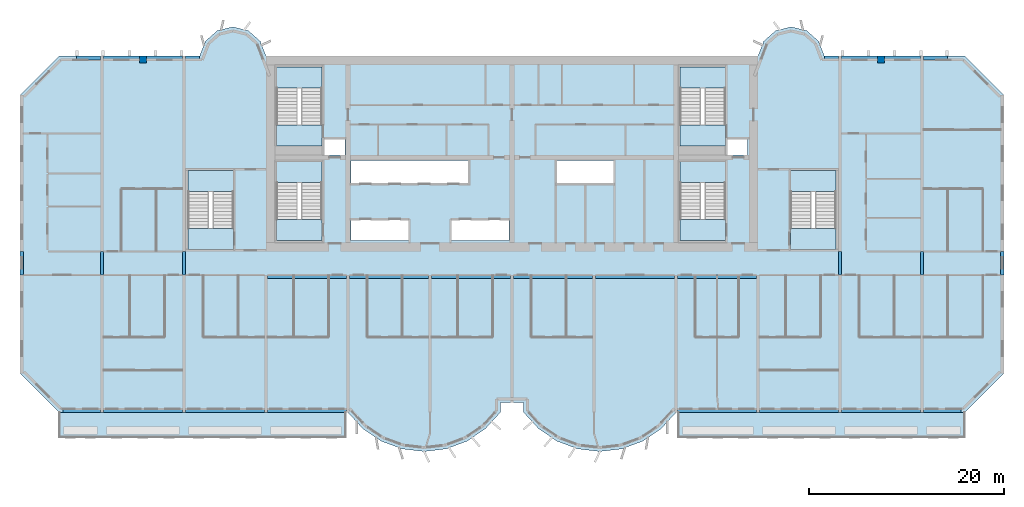
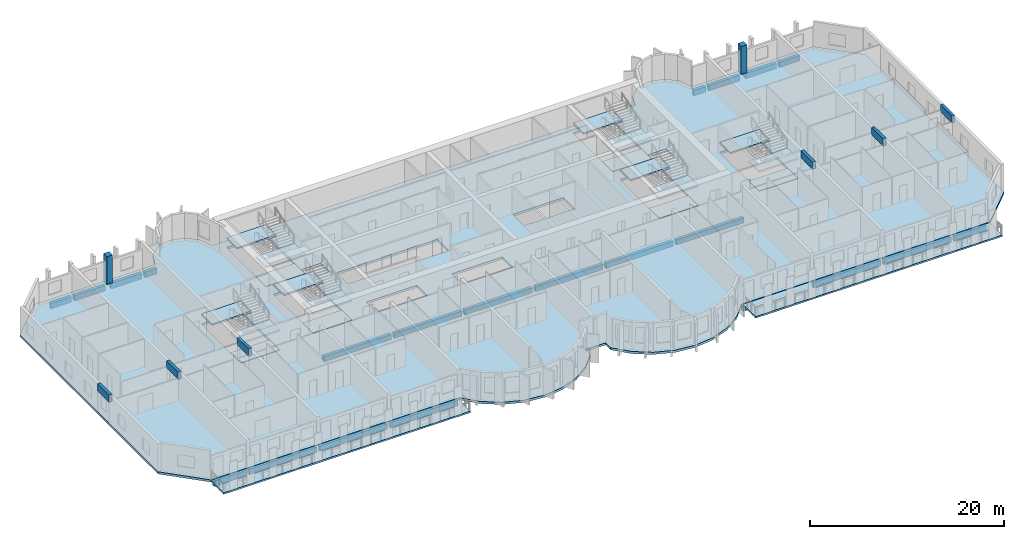
# One storey, part 1 of 14: 28 beams, 21 slabs, 2 columns, 6 elements without a shape of their own.
"""IFC4 building model written with IfcOpenShell, lengths in metres."""

from ifc_helpers import new_model, si_unit, direction, frame, origin, origin_2d, place, context, subcontext, project, spatial, polyline, rectangle, outline, extrude, source, transform, mapped, material, layer, layer_set, material_profile, profile_set, type_object, element, aggregate, save


model = new_model("IFC4")

# Units and contexts
model_context = context("Model", 3, precision=1e-05, world=origin(), true_north=direction((0.0, 1.0)))
body_context = subcontext(model_context, "Body", "Model", "MODEL_VIEW")
ifc_project = project(units=[si_unit("LENGTHUNIT", "METRE"), si_unit("AREAUNIT", "SQUARE_METRE"), si_unit("VOLUMEUNIT", "CUBIC_METRE"), si_unit("PLANEANGLEUNIT", "RADIAN"), si_unit("MASSUNIT", "GRAM", prefix="KILO")], contexts=[model_context])

# Site, building, storey
site_placement = place(None, origin())
site = spatial("IfcSite", under=ifc_project, at=site_placement, CompositionType="ELEMENT")
building_placement = place(site_placement, origin())
building = spatial("IfcBuilding", under=site, at=building_placement, Name="Vanashikhar Sky Hotel", CompositionType="ELEMENT")
storey_placement = place(building_placement, frame((0.0, 0.0, 114.199951171875)))
storey = spatial("IfcBuildingStorey", under=building, at=storey_placement, Name="L27", CompositionType="ELEMENT", Elevation=114.199951171875)

# Columns
ifc_material_1 = material(Name="Concrete M60", Category="concrete")
ifc_material_profile_1 = material_profile(ifc_material_1, rectangle(XDim=0.699951171875, YDim=0.699951171875, at=origin_2d()))
ifc_profile_set_1 = profile_set([ifc_material_profile_1], Name="RC 700x700 column Concrete M60")
column_type = type_object("IfcColumnType", Name="RC 700x700 column Concrete M60", PredefinedType="COLUMN", material=ifc_profile_set_1)
shared_shape_1 = source(origin(), body_context, "Body", "SweptSolid", [
    extrude(rectangle(XDim=0.699951171875, YDim=0.699951171875, at=origin_2d()), origin(), (0.0, 0.0, 1.0), 3.52001953125),
])
for number, where, z_axis, x_axis, name in (
    (1, (12.60009765625, 41.64990234375, 0.0), (0.0, 0.0, 1.0), (1.0, 0.0, 0.0), "CL-L27-CR02"),
    (2, (88.199951171875, 41.64990234375, 0.0), (0.0, 0.0, 1.0), (1.0, 0.0, 0.0), "CL-L27-CR11"),
):
    element("IfcColumn", number, at=place(storey_placement, frame(where, z_axis=z_axis, x_axis=x_axis)), inside=storey, type_object=column_type, Name=name, PredefinedType="COLUMN", context=body_context, shape_type="MappedRepresentation", body=[
        mapped(shared_shape_1, transform((0.0, 0.0, 0.0), scale=1.0)),
    ])

# Beams
ifc_material_2 = material(Name="Concrete M50", Category="concrete")
ifc_material_profile_2 = material_profile(ifc_material_2, rectangle(XDim=0.35009765625, YDim=0.89990234375, at=origin_2d()))
ifc_profile_set_2 = profile_set([ifc_material_profile_2], Name="RC 350x900 beam Concrete M50")
beam_type_1 = type_object("IfcBeamType", Name="RC 350x900 beam Concrete M50", PredefinedType="LINTEL", material=ifc_profile_set_2)
shared_shape_2 = source(origin(), body_context, "Body", "SweptSolid", [
    extrude(rectangle(XDim=0.35009765625, YDim=0.89990234375, at=origin_2d()), origin(), (0.0, 0.0, 1.0), 2.39990234375),
])
for number, where, z_axis, x_axis, name in (
    (3, (0.175048828125, 19.60009765625, 3.070068359375), (0.0, 1.0, 0.0), (-1.0, 0.0, 0.0), "LB-L27-XW01"),
    (4, (8.39990234375, 19.60009765625, 3.070068359375), (0.0, 1.0, 0.0), (-1.0, 0.0, 0.0), "LB-L27-XW02"),
    (5, (16.800048828125, 19.60009765625, 3.070068359375), (0.0, 1.0, 0.0), (-1.0, 0.0, 0.0), "LB-L27-XW03"),
    (6, (84.0, 19.60009765625, 3.070068359375), (0.0, 1.0, 0.0), (-1.0, 0.0, 0.0), "LB-L27-XW11"),
    (7, (92.39990234375, 19.60009765625, 3.070068359375), (0.0, 1.0, 0.0), (-1.0, 0.0, 0.0), "LB-L27-XW12"),
    (8, (100.625, 19.60009765625, 3.070068359375), (0.0, 1.0, 0.0), (-1.0, 0.0, 0.0), "LB-L27-XW13"),
):
    element("IfcBeam", number, at=place(storey_placement, frame(where, z_axis=z_axis, x_axis=x_axis)), inside=storey, type_object=beam_type_1, Name=name, PredefinedType="LINTEL", context=body_context, shape_type="MappedRepresentation", body=[
        mapped(shared_shape_2, transform((0.0, 0.0, 0.0), scale=1.0)),
    ])
ifc_material_profile_3 = material_profile(ifc_material_2, rectangle(XDim=0.39990234375, YDim=0.699951171875, at=origin_2d()))
ifc_profile_set_3 = profile_set([ifc_material_profile_3], Name="RC 400x700 beam Concrete M50")
beam_type_2 = type_object("IfcBeamType", Name="RC 400x700 beam Concrete M50", PredefinedType="SPANDREL", material=ifc_profile_set_3)
shared_shape_3 = source(origin(), body_context, "Body", "SweptSolid", [
    extrude(rectangle(XDim=0.39990234375, YDim=0.699951171875, at=origin_2d()), origin(), (0.0, 0.0, 1.0), 8.050048828125),
])
for number, where, z_axis, x_axis, name in (
    (9, (8.574951171875, 5.699951171875, -0.6298828125), (1.0, 0.0, 0.0), (0.0, 1.0, 0.0), "EB-L27-F01"),
    (10, (25.375, 5.699951171875, -0.6298828125), (1.0, 0.0, 0.0), (0.0, 1.0, 0.0), "EB-L27-F03"),
    (11, (67.375, 5.699951171875, -0.6298828125), (1.0, 0.0, 0.0), (0.0, 1.0, 0.0), "EB-L27-F05"),
    (12, (75.77490234375, 5.699951171875, -0.6298828125), (1.0, 0.0, 0.0), (0.0, 1.0, 0.0), "EB-L27-F06"),
    (13, (84.175048828125, 5.699951171875, -0.6298828125), (1.0, 0.0, 0.0), (0.0, 1.0, 0.0), "EB-L27-F07"),
):
    element("IfcBeam", number, at=place(storey_placement, frame(where, z_axis=z_axis, x_axis=x_axis)), inside=storey, type_object=beam_type_2, Name=name, PredefinedType="SPANDREL", context=body_context, shape_type="MappedRepresentation", body=[
        mapped(shared_shape_3, transform((0.0, 0.0, 0.0), scale=1.0)),
    ])
shared_shape_4 = source(origin(), body_context, "Body", "SweptSolid", [
    extrude(rectangle(XDim=0.39990234375, YDim=0.699951171875, at=origin_2d()), origin(), (0.0, 0.0, 1.0), 8.0498046875),
])
beam_1_placement = place(storey_placement, frame((16.97509765625, 5.699951171875, -0.6298828125), z_axis=(1.0, 0.0, 0.0), x_axis=(0.0, 1.0, 0.0)))
element("IfcBeam", 14, at=beam_1_placement, inside=storey, type_object=beam_type_2, Name="EB-L27-F02", PredefinedType="SPANDREL", context=body_context, shape_type="MappedRepresentation", body=[
    mapped(shared_shape_4, transform((0.0, 0.0, 0.0), scale=1.0)),
])
ifc_material_profile_4 = material_profile(ifc_material_2, rectangle(XDim=0.39990234375, YDim=0.699951171875, at=origin_2d()))
ifc_profile_set_4 = profile_set([ifc_material_profile_4], Name="RC 400x700 cantilever beam Concrete M50")
beam_type_3 = type_object("IfcBeamType", Name="RC 400x700 cantilever beam Concrete M50", PredefinedType="SPANDREL", material=ifc_profile_set_4)
shared_shape_5 = source(origin(), body_context, "Body", "SweptSolid", [
    extrude(rectangle(XDim=0.39990234375, YDim=0.699951171875, at=origin_2d()), origin(), (0.0, 0.0, 1.0), 3.8251953125),
])
beam_2_placement = place(storey_placement, frame((4.39990234375, 5.699951171875, -0.6298828125), z_axis=(1.0, 0.0, 0.0), x_axis=(0.0, 1.0, 0.0)))
element("IfcBeam", 15, at=beam_2_placement, inside=storey, type_object=beam_type_3, Name="EB-L27-F04", PredefinedType="SPANDREL", context=body_context, shape_type="MappedRepresentation", body=[
    mapped(shared_shape_5, transform((0.0, 0.0, 0.0), scale=1.0)),
])
shared_shape_6 = source(origin(), body_context, "Body", "SweptSolid", [
    extrude(rectangle(XDim=0.39990234375, YDim=0.699951171875, at=origin_2d()), origin(), (0.0, 0.0, 1.0), 3.824951171875),
])
beam_3_placement = place(storey_placement, frame((92.574951171875, 5.699951171875, -0.6298828125), z_axis=(1.0, 0.0, 0.0), x_axis=(0.0, 1.0, 0.0)))
element("IfcBeam", 16, at=beam_3_placement, inside=storey, type_object=beam_type_3, Name="EB-L27-F08", PredefinedType="SPANDREL", context=body_context, shape_type="MappedRepresentation", body=[
    mapped(shared_shape_6, transform((0.0, 0.0, 0.0), scale=1.0)),
])
shared_shape_7 = source(origin(), body_context, "Body", "SweptSolid", [
    extrude(rectangle(XDim=0.39990234375, YDim=0.699951171875, at=origin_2d()), origin(), (0.0, 0.0, 1.0), 3.675048828125),
])
for number, where, z_axis, x_axis, name in (
    (17, (8.574951171875, 41.800048828125, -0.6298828125), (1.0, 0.0, 0.0), (0.0, 1.0, 0.0), "EB-L27-R01"),
    (18, (12.949951171875, 41.800048828125, -0.6298828125), (1.0, 0.0, 0.0), (0.0, 1.0, 0.0), "EB-L27-R02"),
    (19, (84.175048828125, 41.800048828125, -0.6298828125), (1.0, 0.0, 0.0), (0.0, 1.0, 0.0), "EB-L27-R05"),
    (20, (88.550048828125, 41.800048828125, -0.6298828125), (1.0, 0.0, 0.0), (0.0, 1.0, 0.0), "EB-L27-R06"),
):
    element("IfcBeam", number, at=place(storey_placement, frame(where, z_axis=z_axis, x_axis=x_axis)), inside=storey, type_object=beam_type_2, Name=name, PredefinedType="SPANDREL", context=body_context, shape_type="MappedRepresentation", body=[
        mapped(shared_shape_7, transform((0.0, 0.0, 0.0), scale=1.0)),
    ])
shared_shape_8 = source(origin(), body_context, "Body", "SweptSolid", [
    extrude(rectangle(XDim=0.39990234375, YDim=0.699951171875, at=origin_2d()), origin(), (0.0, 0.0, 1.0), 2.43017578125),
])
beam_4_placement = place(storey_placement, frame((5.794921875, 41.800048828125, -0.6298828125), z_axis=(1.0, 0.0, 0.0), x_axis=(0.0, 1.0, 0.0)))
element("IfcBeam", 21, at=beam_4_placement, inside=storey, type_object=beam_type_3, Name="EB-L27-R03", PredefinedType="SPANDREL", context=body_context, shape_type="MappedRepresentation", body=[
    mapped(shared_shape_8, transform((0.0, 0.0, 0.0), scale=1.0)),
])
shared_shape_9 = source(origin(), body_context, "Body", "SweptSolid", [
    extrude(rectangle(XDim=0.39990234375, YDim=0.699951171875, at=origin_2d()), origin(), (0.0, 0.0, 1.0), 1.4248046875),
])
beam_5_placement = place(storey_placement, frame((16.97509765625, 41.800048828125, -0.6298828125), z_axis=(1.0, 0.0, 0.0), x_axis=(0.0, 1.0, 0.0)))
element("IfcBeam", 22, at=beam_5_placement, inside=storey, type_object=beam_type_3, Name="EB-L27-R04", PredefinedType="SPANDREL", context=body_context, shape_type="MappedRepresentation", body=[
    mapped(shared_shape_9, transform((0.0, 0.0, 0.0), scale=1.0)),
])
shared_shape_10 = source(origin(), body_context, "Body", "SweptSolid", [
    extrude(rectangle(XDim=0.39990234375, YDim=0.699951171875, at=origin_2d()), origin(), (0.0, 0.0, 1.0), 1.425048828125),
])
beam_6_placement = place(storey_placement, frame((82.39990234375, 41.800048828125, -0.6298828125), z_axis=(1.0, 0.0, 0.0), x_axis=(0.0, 1.0, 0.0)))
element("IfcBeam", 23, at=beam_6_placement, inside=storey, type_object=beam_type_3, Name="EB-L27-R07", PredefinedType="SPANDREL", context=body_context, shape_type="MappedRepresentation", body=[
    mapped(shared_shape_10, transform((0.0, 0.0, 0.0), scale=1.0)),
])
shared_shape_11 = source(origin(), body_context, "Body", "SweptSolid", [
    extrude(rectangle(XDim=0.39990234375, YDim=0.699951171875, at=origin_2d()), origin(), (0.0, 0.0, 1.0), 2.429931640625),
])
beam_7_placement = place(storey_placement, frame((92.574951171875, 41.800048828125, -0.6298828125), z_axis=(1.0, 0.0, 0.0), x_axis=(0.0, 1.0, 0.0)))
element("IfcBeam", 24, at=beam_7_placement, inside=storey, type_object=beam_type_3, Name="EB-L27-R08", PredefinedType="SPANDREL", context=body_context, shape_type="MappedRepresentation", body=[
    mapped(shared_shape_11, transform((0.0, 0.0, 0.0), scale=1.0)),
])
ifc_material_profile_5 = material_profile(ifc_material_2, rectangle(XDim=0.39990234375, YDim=0.64990234375, at=origin_2d()))
ifc_profile_set_5 = profile_set([ifc_material_profile_5], Name="RC 400x650 beam Concrete M50")
beam_type_4 = type_object("IfcBeamType", Name="RC 400x650 beam Concrete M50", PredefinedType="BEAM", material=ifc_profile_set_5)
shared_shape_12 = source(origin(), body_context, "Body", "SweptSolid", [
    extrude(rectangle(XDim=0.39990234375, YDim=0.64990234375, at=origin_2d()), origin(), (0.0, 0.0, 1.0), 8.050048828125),
])
for number, where, z_axis, x_axis, name in (
    (25, (25.375, 19.39990234375, -0.60498046875), (1.0, 0.0, 0.0), (0.0, 1.0, 0.0), "CB-L27-01"),
    (26, (33.77490234375, 19.39990234375, -0.60498046875), (1.0, 0.0, 0.0), (0.0, 1.0, 0.0), "CB-L27-02"),
    (27, (42.175048828125, 19.39990234375, -0.60498046875), (1.0, 0.0, 0.0), (0.0, 1.0, 0.0), "CB-L27-03"),
    (28, (50.574951171875, 19.39990234375, -0.60498046875), (1.0, 0.0, 0.0), (0.0, 1.0, 0.0), "CB-L27-04"),
    (29, (67.375, 19.39990234375, -0.60498046875), (1.0, 0.0, 0.0), (0.0, 1.0, 0.0), "CB-L27-06"),
):
    element("IfcBeam", number, at=place(storey_placement, frame(where, z_axis=z_axis, x_axis=x_axis)), inside=storey, type_object=beam_type_4, Name=name, PredefinedType="BEAM", context=body_context, shape_type="MappedRepresentation", body=[
        mapped(shared_shape_12, transform((0.0, 0.0, 0.0), scale=1.0)),
    ])
shared_shape_13 = source(origin(), body_context, "Body", "SweptSolid", [
    extrude(rectangle(XDim=0.39990234375, YDim=0.64990234375, at=origin_2d()), origin(), (0.0, 0.0, 1.0), 8.0498046875),
])
beam_8_placement = place(storey_placement, frame((58.97509765625, 19.39990234375, -0.60498046875), z_axis=(1.0, 0.0, 0.0), x_axis=(0.0, 1.0, 0.0)))
element("IfcBeam", 30, at=beam_8_placement, inside=storey, type_object=beam_type_4, Name="CB-L27-05", PredefinedType="BEAM", context=body_context, shape_type="MappedRepresentation", body=[
    mapped(shared_shape_13, transform((0.0, 0.0, 0.0), scale=1.0)),
])

# Slabs
ifc_material_3 = material(Name="Concrete M40", Category="concrete")
ifc_layer_1 = layer(ifc_material_3, 0.280029296875)
ifc_layer_set_1 = layer_set([ifc_layer_1], Name="Floor slab 280 mm")
slab_type_1 = type_object("IfcSlabType", Name="Floor slab 280 mm", PredefinedType="FLOOR", material=ifc_layer_set_1)
shared_shape_14 = source(origin(), body_context, "Body", "SweptSolid", [
    extrude(outline(polyline([(49.199951171875, 5.5), (49.199951171875, 6.5), (51.60009765625, 6.5), (51.60009765625, 5.5), (53.133056640625, 3.825927734375), (55.01708984375, 2.55810546875), (57.14599609375, 1.76806640625), (59.39990234375, 1.5), (61.654052734375, 1.76806640625), (63.782958984375, 2.55810546875), (65.6669921875, 3.825927734375), (67.199951171875, 5.5), (96.800048828125, 5.5), (100.800048828125, 9.5), (100.800048828125, 38.0), (96.800048828125, 42.0), (82.39990234375, 42.0), (81.81494140625, 43.527099609375), (80.587890625, 44.610107421875), (79.0, 45.0), (77.412109375, 44.610107421875), (76.18505859375, 43.527099609375), (75.60009765625, 42.0), (25.199951171875, 42.0), (24.614990234375, 43.527099609375), (23.387939453125, 44.610107421875), (21.800048828125, 45.0), (20.2119140625, 44.610107421875), (18.985107421875, 43.527099609375), (18.39990234375, 42.0), (4.0, 42.0), (0.0, 38.0), (0.0, 9.5), (4.0, 5.5), (33.60009765625, 5.5), (35.133056640625, 3.825927734375), (37.01708984375, 2.55810546875), (39.14599609375, 1.76806640625), (41.39990234375, 1.5), (43.654052734375, 1.76806640625), (45.782958984375, 2.55810546875), (47.6669921875, 3.825927734375), (49.199951171875, 5.5)]), holes=[polyline([(33.300048828125, 33.60009765625), (31.050048828125, 33.60009765625), (31.050048828125, 31.89990234375), (33.300048828125, 31.89990234375), (33.300048828125, 33.60009765625)]), polyline([(33.89990234375, 25.199951171875), (33.89990234375, 23.10009765625), (39.89990234375, 23.10009765625), (39.89990234375, 25.199951171875), (33.89990234375, 25.199951171875)]), polyline([(33.89990234375, 31.300048828125), (33.89990234375, 29.0), (45.89990234375, 29.0), (45.89990234375, 31.300048828125), (33.89990234375, 31.300048828125)]), polyline([(44.10009765625, 25.199951171875), (44.10009765625, 23.10009765625), (50.10009765625, 23.10009765625), (50.10009765625, 25.199951171875), (44.10009765625, 25.199951171875)]), polyline([(54.89990234375, 31.300048828125), (54.89990234375, 29.0), (60.89990234375, 29.0), (60.89990234375, 31.300048828125), (54.89990234375, 31.300048828125)]), polyline([(74.5, 33.60009765625), (72.35009765625, 33.60009765625), (72.35009765625, 31.89990234375), (74.5, 31.89990234375), (74.5, 33.60009765625)]), polyline([(30.949951171875, 23.10009765625), (30.949951171875, 31.199951171875), (26.300048828125, 31.199951171875), (26.300048828125, 23.10009765625), (30.949951171875, 23.10009765625)]), polyline([(72.25, 23.10009765625), (72.25, 31.199951171875), (67.60009765625, 31.199951171875), (67.60009765625, 23.10009765625), (72.25, 23.10009765625)]), polyline([(30.949951171875, 32.800048828125), (30.949951171875, 40.89990234375), (26.300048828125, 40.89990234375), (26.300048828125, 32.800048828125), (30.949951171875, 32.800048828125)]), polyline([(72.25, 32.800048828125), (72.25, 40.89990234375), (67.60009765625, 40.89990234375), (67.60009765625, 32.800048828125), (72.25, 32.800048828125)]), polyline([(83.60009765625, 22.199951171875), (83.60009765625, 30.300048828125), (78.949951171875, 30.300048828125), (78.949951171875, 22.199951171875), (83.60009765625, 22.199951171875)]), polyline([(21.85009765625, 22.199951171875), (21.85009765625, 30.300048828125), (17.199951171875, 30.300048828125), (17.199951171875, 22.199951171875), (21.85009765625, 22.199951171875)])]), origin(), (0.0, 0.0, 1.0), 0.280029296875),
])
slab_1_placement = place(storey_placement, frame((0.0, 0.0, -0.280029296875)))
element("IfcSlab", 31, at=slab_1_placement, inside=storey, type_object=slab_type_1, Name="Floor slab L27", PredefinedType="FLOOR", context=body_context, shape_type="MappedRepresentation", body=[
    mapped(shared_shape_14, transform((0.0, 0.0, 0.0), scale=1.0)),
])
ifc_layer_2 = layer(ifc_material_3, 0.199951171875)
ifc_layer_set_2 = layer_set([ifc_layer_2], Name="Balcony slab 200 mm")
slab_type_2 = type_object("IfcSlabType", Name="Balcony slab 200 mm", PredefinedType="USERDEFINED", material=ifc_layer_set_2)
shared_shape_15 = source(origin(), body_context, "Body", "SweptSolid", [
    extrude(outline(polyline([(4.0, 2.89990234375), (33.39990234375, 2.89990234375), (33.39990234375, 5.5), (4.0, 5.5), (4.0, 2.89990234375)])), origin(), (0.0, 0.0, 1.0), 0.199951171875),
])
slab_2_placement = place(storey_placement, frame((0.0, 0.0, -0.25)))
element("IfcSlab", 32, at=slab_2_placement, inside=storey, type_object=slab_type_2, Name="Balcony slab L27 1", ObjectType="BALCONY", PredefinedType="USERDEFINED", context=body_context, shape_type="MappedRepresentation", body=[
    mapped(shared_shape_15, transform((0.0, 0.0, 0.0), scale=1.0)),
])
shared_shape_16 = source(origin(), body_context, "Body", "SweptSolid", [
    extrude(outline(polyline([(67.39990234375, 2.89990234375), (96.800048828125, 2.89990234375), (96.800048828125, 5.5), (67.39990234375, 5.5), (67.39990234375, 2.89990234375)])), origin(), (0.0, 0.0, 1.0), 0.199951171875),
])
slab_3_placement = place(storey_placement, frame((0.0, 0.0, -0.25)))
element("IfcSlab", 33, at=slab_3_placement, inside=storey, type_object=slab_type_2, Name="Balcony slab L27 2", ObjectType="BALCONY", PredefinedType="USERDEFINED", context=body_context, shape_type="MappedRepresentation", body=[
    mapped(shared_shape_16, transform((0.0, 0.0, 0.0), scale=1.0)),
])

# Stair, slabs
stair_type = type_object("IfcStairType", Name="Exit stair 2150", PredefinedType="DOUBLE_RETURN_STAIR", material=ifc_material_3)
stair_1_placement = place(storey_placement, origin())
stair_1 = element("IfcStair", 34, at=stair_1_placement, inside=storey, type_object=stair_type, Name="L27 Exit stair 1", PredefinedType="DOUBLE_RETURN_STAIR")
ifc_layer_3 = layer(ifc_material_3, 0.199951171875)
ifc_layer_set_3 = layer_set([ifc_layer_3], Name="Stair landing 200")
slab_type_3 = type_object("IfcSlabType", Name="Stair landing 200", PredefinedType="LANDING", material=ifc_layer_set_3)
shared_shape_17 = source(origin(), body_context, "Body", "SweptSolid", [
    extrude(outline(polyline([(30.949951171875, 29.050048828125), (30.949951171875, 31.199951171875), (26.300048828125, 31.199951171875), (26.300048828125, 29.050048828125), (30.949951171875, 29.050048828125)])), origin(), (0.0, 0.0, 1.0), 0.199951171875),
])
slab_4_placement = place(storey_placement, frame((0.0, 0.0, 1.066650390625)))
slab_4 = element("IfcSlab", 35, at=slab_4_placement, type_object=slab_type_3, Name="ST-C1 landing 1", PredefinedType="LANDING", context=body_context, shape_type="MappedRepresentation", body=[
    mapped(shared_shape_17, transform((0.0, 0.0, 0.0), scale=1.0)),
])
shared_shape_18 = source(origin(), body_context, "Body", "SweptSolid", [
    extrude(outline(polyline([(30.949951171875, 23.10009765625), (30.949951171875, 25.25), (26.300048828125, 25.25), (26.300048828125, 23.10009765625), (30.949951171875, 23.10009765625)])), origin(), (0.0, 0.0, 1.0), 0.199951171875),
])
slab_5_placement = place(storey_placement, frame((0.0, 0.0, 2.33349609375)))
slab_5 = element("IfcSlab", 36, at=slab_5_placement, type_object=slab_type_3, Name="ST-C1 landing 2", PredefinedType="LANDING", context=body_context, shape_type="MappedRepresentation", body=[
    mapped(shared_shape_18, transform((0.0, 0.0, 0.0), scale=1.0)),
])
aggregate(stair_1, [slab_4, slab_5])

# Slab
ifc_layer_4 = layer(ifc_material_3, 0.280029296875)
ifc_layer_set_4 = layer_set([ifc_layer_4], Name="Stair floor landing 280")
slab_type_4 = type_object("IfcSlabType", Name="Stair floor landing 280", PredefinedType="LANDING", material=ifc_layer_set_4)
shared_shape_19 = source(origin(), body_context, "Body", "SweptSolid", [
    extrude(outline(polyline([(30.949951171875, 23.10009765625), (30.949951171875, 25.25), (26.300048828125, 25.25), (26.300048828125, 23.10009765625), (30.949951171875, 23.10009765625)])), origin(), (0.0, 0.0, 1.0), 0.280029296875),
])
slab_6_placement = place(storey_placement, frame((0.0, 0.0, -0.280029296875)))
element("IfcSlab", 37, at=slab_6_placement, inside=storey, type_object=slab_type_4, Name="Exit stair 1 floor landing", PredefinedType="LANDING", context=body_context, shape_type="MappedRepresentation", body=[
    mapped(shared_shape_19, transform((0.0, 0.0, 0.0), scale=1.0)),
])

# Stair, slabs
stair_2_placement = place(storey_placement, origin())
stair_2 = element("IfcStair", 38, at=stair_2_placement, inside=storey, type_object=stair_type, Name="L27 Exit stair 2", PredefinedType="DOUBLE_RETURN_STAIR")
shared_shape_20 = source(origin(), body_context, "Body", "SweptSolid", [
    extrude(outline(polyline([(72.25, 29.050048828125), (72.25, 31.199951171875), (67.60009765625, 31.199951171875), (67.60009765625, 29.050048828125), (72.25, 29.050048828125)])), origin(), (0.0, 0.0, 1.0), 0.199951171875),
])
slab_7_placement = place(storey_placement, frame((0.0, 0.0, 1.066650390625)))
slab_7 = element("IfcSlab", 39, at=slab_7_placement, type_object=slab_type_3, Name="ST-C2 landing 1", PredefinedType="LANDING", context=body_context, shape_type="MappedRepresentation", body=[
    mapped(shared_shape_20, transform((0.0, 0.0, 0.0), scale=1.0)),
])
shared_shape_21 = source(origin(), body_context, "Body", "SweptSolid", [
    extrude(outline(polyline([(72.25, 23.10009765625), (72.25, 25.25), (67.60009765625, 25.25), (67.60009765625, 23.10009765625), (72.25, 23.10009765625)])), origin(), (0.0, 0.0, 1.0), 0.199951171875),
])
slab_8_placement = place(storey_placement, frame((0.0, 0.0, 2.33349609375)))
slab_8 = element("IfcSlab", 40, at=slab_8_placement, type_object=slab_type_3, Name="ST-C2 landing 2", PredefinedType="LANDING", context=body_context, shape_type="MappedRepresentation", body=[
    mapped(shared_shape_21, transform((0.0, 0.0, 0.0), scale=1.0)),
])
aggregate(stair_2, [slab_7, slab_8])

# Slab
shared_shape_22 = source(origin(), body_context, "Body", "SweptSolid", [
    extrude(outline(polyline([(72.25, 23.10009765625), (72.25, 25.25), (67.60009765625, 25.25), (67.60009765625, 23.10009765625), (72.25, 23.10009765625)])), origin(), (0.0, 0.0, 1.0), 0.280029296875),
])
slab_9_placement = place(storey_placement, frame((0.0, 0.0, -0.280029296875)))
element("IfcSlab", 41, at=slab_9_placement, inside=storey, type_object=slab_type_4, Name="Exit stair 2 floor landing", PredefinedType="LANDING", context=body_context, shape_type="MappedRepresentation", body=[
    mapped(shared_shape_22, transform((0.0, 0.0, 0.0), scale=1.0)),
])

# Stair, slabs
stair_3_placement = place(storey_placement, origin())
stair_3 = element("IfcStair", 42, at=stair_3_placement, inside=storey, type_object=stair_type, Name="L27 Exit stair 3", PredefinedType="DOUBLE_RETURN_STAIR")
shared_shape_23 = source(origin(), body_context, "Body", "SweptSolid", [
    extrude(outline(polyline([(21.85009765625, 28.14990234375), (21.85009765625, 30.300048828125), (17.199951171875, 30.300048828125), (17.199951171875, 28.14990234375), (21.85009765625, 28.14990234375)])), origin(), (0.0, 0.0, 1.0), 0.199951171875),
])
slab_10_placement = place(storey_placement, frame((0.0, 0.0, 1.066650390625)))
slab_10 = element("IfcSlab", 43, at=slab_10_placement, type_object=slab_type_3, Name="ST-W landing 1", PredefinedType="LANDING", context=body_context, shape_type="MappedRepresentation", body=[
    mapped(shared_shape_23, transform((0.0, 0.0, 0.0), scale=1.0)),
])
shared_shape_24 = source(origin(), body_context, "Body", "SweptSolid", [
    extrude(outline(polyline([(21.85009765625, 22.199951171875), (21.85009765625, 24.35009765625), (17.199951171875, 24.35009765625), (17.199951171875, 22.199951171875), (21.85009765625, 22.199951171875)])), origin(), (0.0, 0.0, 1.0), 0.199951171875),
])
slab_11_placement = place(storey_placement, frame((0.0, 0.0, 2.33349609375)))
slab_11 = element("IfcSlab", 44, at=slab_11_placement, type_object=slab_type_3, Name="ST-W landing 2", PredefinedType="LANDING", context=body_context, shape_type="MappedRepresentation", body=[
    mapped(shared_shape_24, transform((0.0, 0.0, 0.0), scale=1.0)),
])
aggregate(stair_3, [slab_10, slab_11])

# Slab
shared_shape_25 = source(origin(), body_context, "Body", "SweptSolid", [
    extrude(outline(polyline([(21.85009765625, 22.199951171875), (21.85009765625, 24.35009765625), (17.199951171875, 24.35009765625), (17.199951171875, 22.199951171875), (21.85009765625, 22.199951171875)])), origin(), (0.0, 0.0, 1.0), 0.280029296875),
])
slab_12_placement = place(storey_placement, frame((0.0, 0.0, -0.280029296875)))
element("IfcSlab", 45, at=slab_12_placement, inside=storey, type_object=slab_type_4, Name="Exit stair 3 floor landing", PredefinedType="LANDING", context=body_context, shape_type="MappedRepresentation", body=[
    mapped(shared_shape_25, transform((0.0, 0.0, 0.0), scale=1.0)),
])

# Stair, slabs
stair_4_placement = place(storey_placement, origin())
stair_4 = element("IfcStair", 46, at=stair_4_placement, inside=storey, type_object=stair_type, Name="L27 Exit stair 4", PredefinedType="DOUBLE_RETURN_STAIR")
shared_shape_26 = source(origin(), body_context, "Body", "SweptSolid", [
    extrude(outline(polyline([(83.60009765625, 28.14990234375), (83.60009765625, 30.300048828125), (78.949951171875, 30.300048828125), (78.949951171875, 28.14990234375), (83.60009765625, 28.14990234375)])), origin(), (0.0, 0.0, 1.0), 0.199951171875),
])
slab_13_placement = place(storey_placement, frame((0.0, 0.0, 1.066650390625)))
slab_13 = element("IfcSlab", 47, at=slab_13_placement, type_object=slab_type_3, Name="ST-E landing 1", PredefinedType="LANDING", context=body_context, shape_type="MappedRepresentation", body=[
    mapped(shared_shape_26, transform((0.0, 0.0, 0.0), scale=1.0)),
])
shared_shape_27 = source(origin(), body_context, "Body", "SweptSolid", [
    extrude(outline(polyline([(83.60009765625, 22.199951171875), (83.60009765625, 24.35009765625), (78.949951171875, 24.35009765625), (78.949951171875, 22.199951171875), (83.60009765625, 22.199951171875)])), origin(), (0.0, 0.0, 1.0), 0.199951171875),
])
slab_14_placement = place(storey_placement, frame((0.0, 0.0, 2.33349609375)))
slab_14 = element("IfcSlab", 48, at=slab_14_placement, type_object=slab_type_3, Name="ST-E landing 2", PredefinedType="LANDING", context=body_context, shape_type="MappedRepresentation", body=[
    mapped(shared_shape_27, transform((0.0, 0.0, 0.0), scale=1.0)),
])
aggregate(stair_4, [slab_13, slab_14])

# Slab
shared_shape_28 = source(origin(), body_context, "Body", "SweptSolid", [
    extrude(outline(polyline([(83.60009765625, 22.199951171875), (83.60009765625, 24.35009765625), (78.949951171875, 24.35009765625), (78.949951171875, 22.199951171875), (83.60009765625, 22.199951171875)])), origin(), (0.0, 0.0, 1.0), 0.280029296875),
])
slab_15_placement = place(storey_placement, frame((0.0, 0.0, -0.280029296875)))
element("IfcSlab", 49, at=slab_15_placement, inside=storey, type_object=slab_type_4, Name="Exit stair 4 floor landing", PredefinedType="LANDING", context=body_context, shape_type="MappedRepresentation", body=[
    mapped(shared_shape_28, transform((0.0, 0.0, 0.0), scale=1.0)),
])

# Stair, slabs
stair_5_placement = place(storey_placement, origin())
stair_5 = element("IfcStair", 50, at=stair_5_placement, inside=storey, type_object=stair_type, Name="L27 Exit stair 5", PredefinedType="DOUBLE_RETURN_STAIR")
shared_shape_29 = source(origin(), body_context, "Body", "SweptSolid", [
    extrude(outline(polyline([(30.949951171875, 38.75), (30.949951171875, 40.89990234375), (26.300048828125, 40.89990234375), (26.300048828125, 38.75), (30.949951171875, 38.75)])), origin(), (0.0, 0.0, 1.0), 0.199951171875),
])
slab_16_placement = place(storey_placement, frame((0.0, 0.0, 1.066650390625)))
slab_16 = element("IfcSlab", 51, at=slab_16_placement, type_object=slab_type_3, Name="ST-C3 landing 1", PredefinedType="LANDING", context=body_context, shape_type="MappedRepresentation", body=[
    mapped(shared_shape_29, transform((0.0, 0.0, 0.0), scale=1.0)),
])
shared_shape_30 = source(origin(), body_context, "Body", "SweptSolid", [
    extrude(outline(polyline([(30.949951171875, 32.800048828125), (30.949951171875, 34.949951171875), (26.300048828125, 34.949951171875), (26.300048828125, 32.800048828125), (30.949951171875, 32.800048828125)])), origin(), (0.0, 0.0, 1.0), 0.199951171875),
])
slab_17_placement = place(storey_placement, frame((0.0, 0.0, 2.33349609375)))
slab_17 = element("IfcSlab", 52, at=slab_17_placement, type_object=slab_type_3, Name="ST-C3 landing 2", PredefinedType="LANDING", context=body_context, shape_type="MappedRepresentation", body=[
    mapped(shared_shape_30, transform((0.0, 0.0, 0.0), scale=1.0)),
])
aggregate(stair_5, [slab_16, slab_17])

# Slab
shared_shape_31 = source(origin(), body_context, "Body", "SweptSolid", [
    extrude(outline(polyline([(30.949951171875, 32.800048828125), (30.949951171875, 34.949951171875), (26.300048828125, 34.949951171875), (26.300048828125, 32.800048828125), (30.949951171875, 32.800048828125)])), origin(), (0.0, 0.0, 1.0), 0.280029296875),
])
slab_18_placement = place(storey_placement, frame((0.0, 0.0, -0.280029296875)))
element("IfcSlab", 53, at=slab_18_placement, inside=storey, type_object=slab_type_4, Name="Exit stair 5 floor landing", PredefinedType="LANDING", context=body_context, shape_type="MappedRepresentation", body=[
    mapped(shared_shape_31, transform((0.0, 0.0, 0.0), scale=1.0)),
])

# Stair, slabs
stair_6_placement = place(storey_placement, origin())
stair_6 = element("IfcStair", 54, at=stair_6_placement, inside=storey, type_object=stair_type, Name="L27 Exit stair 6", PredefinedType="DOUBLE_RETURN_STAIR")
shared_shape_32 = source(origin(), body_context, "Body", "SweptSolid", [
    extrude(outline(polyline([(72.25, 38.75), (72.25, 40.89990234375), (67.60009765625, 40.89990234375), (67.60009765625, 38.75), (72.25, 38.75)])), origin(), (0.0, 0.0, 1.0), 0.199951171875),
])
slab_19_placement = place(storey_placement, frame((0.0, 0.0, 1.066650390625)))
slab_19 = element("IfcSlab", 55, at=slab_19_placement, type_object=slab_type_3, Name="ST-C4 landing 1", PredefinedType="LANDING", context=body_context, shape_type="MappedRepresentation", body=[
    mapped(shared_shape_32, transform((0.0, 0.0, 0.0), scale=1.0)),
])
shared_shape_33 = source(origin(), body_context, "Body", "SweptSolid", [
    extrude(outline(polyline([(72.25, 32.800048828125), (72.25, 34.949951171875), (67.60009765625, 34.949951171875), (67.60009765625, 32.800048828125), (72.25, 32.800048828125)])), origin(), (0.0, 0.0, 1.0), 0.199951171875),
])
slab_20_placement = place(storey_placement, frame((0.0, 0.0, 2.33349609375)))
slab_20 = element("IfcSlab", 56, at=slab_20_placement, type_object=slab_type_3, Name="ST-C4 landing 2", PredefinedType="LANDING", context=body_context, shape_type="MappedRepresentation", body=[
    mapped(shared_shape_33, transform((0.0, 0.0, 0.0), scale=1.0)),
])
aggregate(stair_6, [slab_19, slab_20])

# Slab
shared_shape_34 = source(origin(), body_context, "Body", "SweptSolid", [
    extrude(outline(polyline([(72.25, 32.800048828125), (72.25, 34.949951171875), (67.60009765625, 34.949951171875), (67.60009765625, 32.800048828125), (72.25, 32.800048828125)])), origin(), (0.0, 0.0, 1.0), 0.280029296875),
])
slab_21_placement = place(storey_placement, frame((0.0, 0.0, -0.280029296875)))
element("IfcSlab", 57, at=slab_21_placement, inside=storey, type_object=slab_type_4, Name="Exit stair 6 floor landing", PredefinedType="LANDING", context=body_context, shape_type="MappedRepresentation", body=[
    mapped(shared_shape_34, transform((0.0, 0.0, 0.0), scale=1.0)),
])

save(model, "model.ifc")
